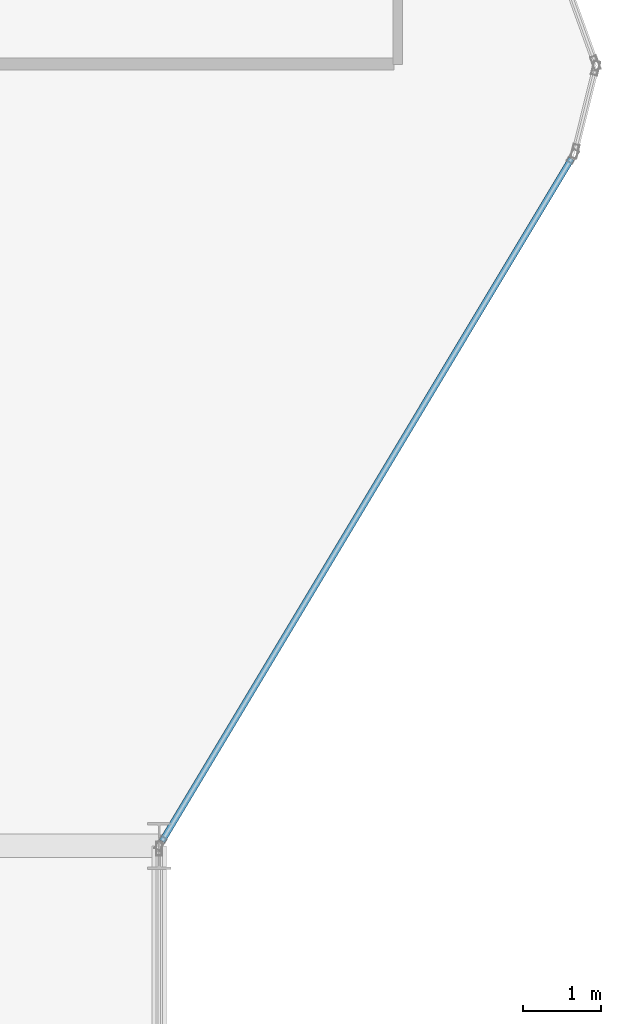
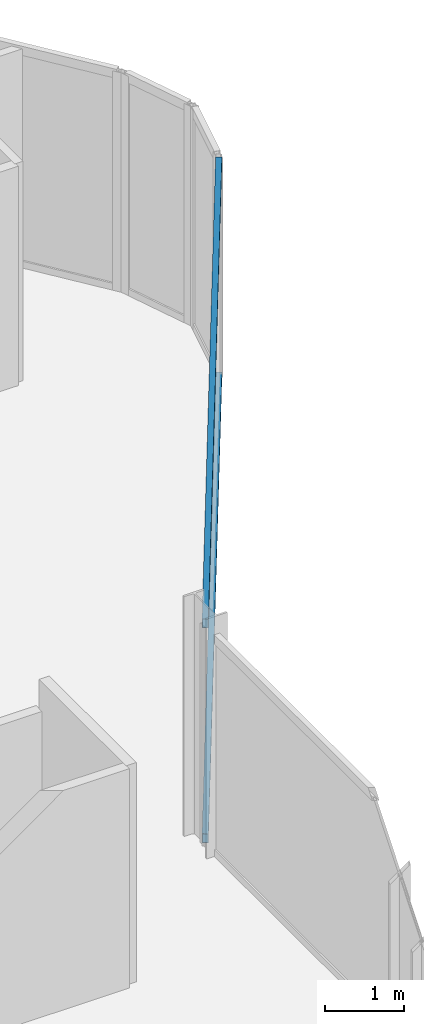
# One storey, part 13 of 29: 2 members, 1 element without a shape of its own.
"""IFC4 building model written with IfcOpenShell, lengths in metres."""

from ifc_helpers import new_model, si_unit, direction, frame, origin, origin_2d, place, context, subcontext, project, spatial, hollow_rectangle, extrude, material, layer, layer_set, material_profile, profile_set, type_object, element, aggregate, save


model = new_model("IFC4")

# Units and contexts
model_context = context("Model", 3, precision=1e-05, world=origin(), true_north=direction((0.0, 1.0)))
body_context = subcontext(model_context, "Body", "Model", "MODEL_VIEW")
ifc_project = project(units=[si_unit("LENGTHUNIT", "METRE"), si_unit("AREAUNIT", "SQUARE_METRE"), si_unit("VOLUMEUNIT", "CUBIC_METRE"), si_unit("PLANEANGLEUNIT", "RADIAN"), si_unit("MASSUNIT", "GRAM", prefix="KILO")], contexts=[model_context])

# Site, building, storey
site_placement = place(None, origin())
site = spatial("IfcSite", under=ifc_project, at=site_placement, CompositionType="ELEMENT")
building_placement = place(site_placement, origin())
building = spatial("IfcBuilding", under=site, at=building_placement, Name="Keshet Zoharim Tower", CompositionType="ELEMENT")
storey_placement = place(building_placement, frame((0.0, 0.0, 105.699951171875)))
storey = spatial("IfcBuildingStorey", under=building, at=storey_placement, Name="L25", CompositionType="ELEMENT", Elevation=105.699951171875)

# Curtain wall, members
ifc_material = material(Name="Aluminium 6063-T6", Category="aluminium")
ifc_layer = layer(ifc_material, 0.159912109375)
ifc_layer_set = layer_set([ifc_layer], Name="Aluminium 6063-T6")
curtain_wall_type = type_object("IfcCurtainWallType", Name="CW-SYS-03", PredefinedType="NOTDEFINED", material=ifc_layer_set)
curtain_wall_placement = place(storey_placement, origin())
curtain_wall = element("IfcCurtainWall", 1, at=curtain_wall_placement, inside=storey, type_object=curtain_wall_type, Name="L25 Unitised Curtain Wall 18", PredefinedType="NOTDEFINED")
ifc_material_profile = material_profile(ifc_material, hollow_rectangle(XDim=0.080078125, YDim=0.139892578125, WallThickness=0.00390625, at=origin_2d()), Name="TRN-80x140")
ifc_profile_set = profile_set([ifc_material_profile], Name="Aluminium 6063-T6")
member_type = type_object("IfcMemberType", Name="CWT-T14", PredefinedType="USERDEFINED", material=ifc_profile_set)
member_1_placement = place(storey_placement, frame((62.27197265625, 36.68701171875, 0.03515625), z_axis=(-0.514467532827, -0.857509858641, 0.0), x_axis=(0.857509858641, -0.514467532827, 0.0)))
member_1 = element("IfcMember", 2, at=member_1_placement, type_object=member_type, Name="CW-03 transom 1.1", ObjectType="TRANSOM", PredefinedType="USERDEFINED", context=body_context, shape_type="SweptSolid", body=[
    extrude(hollow_rectangle(XDim=0.080078125, YDim=0.139892578125, WallThickness=0.00390625, at=origin_2d()), origin(), (0.0, 0.0, 1.0), 10.17724609375),
])
member_2_placement = place(storey_placement, frame((62.27197265625, 36.68701171875, 3.35009765625), z_axis=(-0.514467532827, -0.857509858641, 0.0), x_axis=(0.857509858641, -0.514467532827, 0.0)))
member_2 = element("IfcMember", 3, at=member_2_placement, type_object=member_type, Name="CW-03 transom 1.2", ObjectType="TRANSOM", PredefinedType="USERDEFINED", context=body_context, shape_type="SweptSolid", body=[
    extrude(hollow_rectangle(XDim=0.080078125, YDim=0.139892578125, WallThickness=0.00390625, at=origin_2d()), origin(), (0.0, 0.0, 1.0), 10.17724609375),
])
aggregate(curtain_wall, [member_1, member_2])

save(model, "model.ifc")
